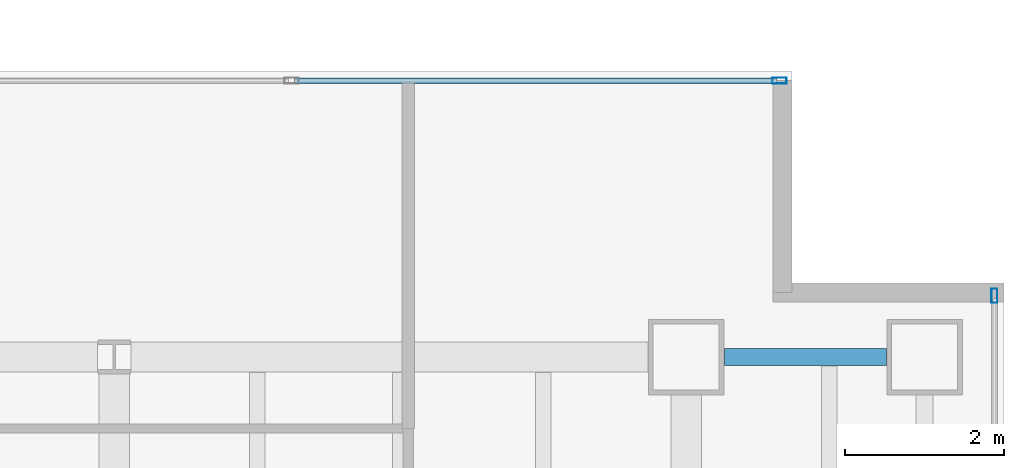
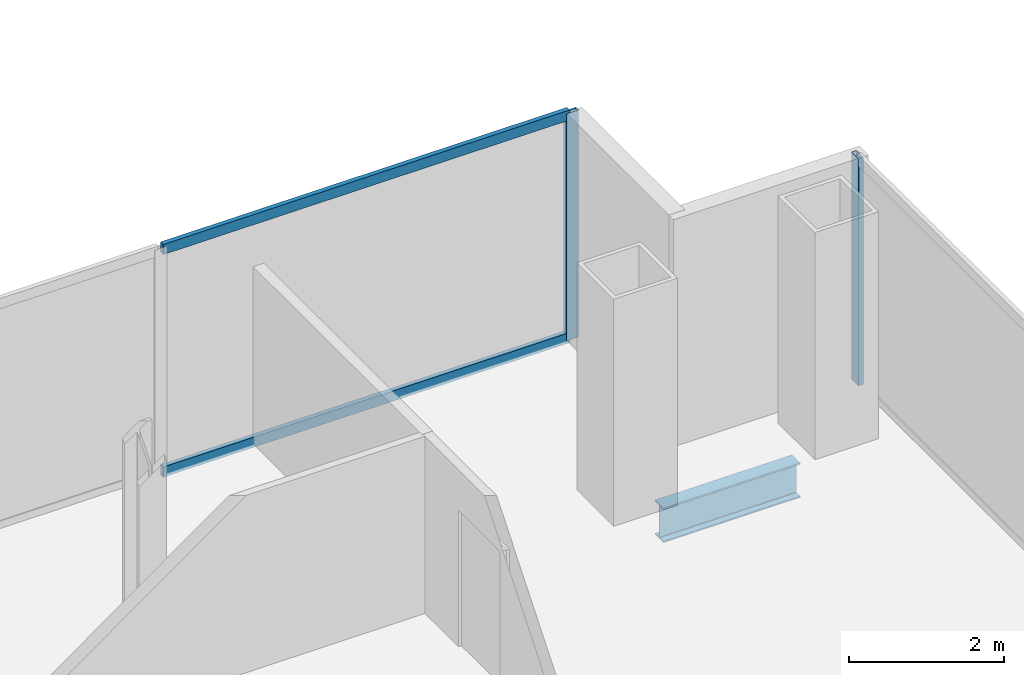
# One storey, part 15 of 23: 4 members, 1 beam, 2 elements without a shape of their own.
"""IFC4 building model written with IfcOpenShell, lengths in metres."""

from ifc_helpers import new_model, si_unit, direction, frame, origin, origin_2d, place, context, subcontext, project, spatial, hollow_rectangle, i_section, extrude, material, material_profile, profile_set, type_object, element, aggregate, save


model = new_model("IFC4")

# Units and contexts
model_context = context("Model", 3, precision=1e-05, world=origin(), true_north=direction((0.0, 1.0)))
body_context = subcontext(model_context, "Body", "Model", "MODEL_VIEW")
ifc_project = project(units=[si_unit("LENGTHUNIT", "METRE"), si_unit("AREAUNIT", "SQUARE_METRE"), si_unit("VOLUMEUNIT", "CUBIC_METRE"), si_unit("PLANEANGLEUNIT", "RADIAN"), si_unit("MASSUNIT", "GRAM", prefix="KILO")], contexts=[model_context])

# Site, building, storey
site_placement = place(None, origin())
site = spatial("IfcSite", under=ifc_project, at=site_placement, CompositionType="ELEMENT")
building_placement = place(site_placement, origin())
building = spatial("IfcBuilding", under=site, at=building_placement, Name="Cobrela Telecom Tower", CompositionType="ELEMENT")
storey_placement = place(building_placement, frame((0.0, 0.0, 102.199951171875)))
storey = spatial("IfcBuildingStorey", under=building, at=storey_placement, Name="L25", CompositionType="ELEMENT", Elevation=102.199951171875)

# Beam
ifc_material_1 = material(Name="Steel ASTM A992 Grade 50", Category="steel")
ifc_material_profile_1 = material_profile(ifc_material_1, i_section(OverallWidth=0.212890625, OverallDepth=0.549072265625, WebThickness=0.0146484375, FlangeThickness=0.023681640625, FilletRadius=0.013916015625, at=origin_2d()), Name="W21X93")
ifc_profile_set_1 = profile_set([ifc_material_profile_1], Name="Steel ASTM A992 Grade 50")
beam_type = type_object("IfcBeamType", Name="BM-SPAND-03", PredefinedType="SPANDREL", material=ifc_profile_set_1)
beam_placement = place(storey_placement, frame((43.679931640625, 21.60009765625, -0.54443359375), z_axis=(1.0, 0.0, 0.0), x_axis=(0.0, 1.0, 0.0)))
element("IfcBeam", 1, at=beam_placement, inside=storey, type_object=beam_type, Name="L25 Perimeter Spandrel X22", PredefinedType="SPANDREL", context=body_context, shape_type="SweptSolid", body=[
    extrude(i_section(OverallWidth=0.212890625, OverallDepth=0.549072265625, WebThickness=0.0146484375, FlangeThickness=0.023681640625, FilletRadius=0.013916015625, at=origin_2d()), origin(), (0.0, 0.0, 1.0), 2.0400390625),
])

# Curtain wall, member
ifc_material_2 = material(Name="Anodized Bronze Aluminium 6063-T6", Category="aluminium")
curtain_wall_type = type_object("IfcCurtainWallType", Name="CW-SYS-TEL", PredefinedType="USERDEFINED", material=ifc_material_2)
curtain_wall_1_placement = place(storey_placement, origin())
curtain_wall_1 = element("IfcCurtainWall", 2, at=curtain_wall_1_placement, inside=storey, type_object=curtain_wall_type, Name="L25 Unitised Bronze Curtain Wall 11", ObjectType="UNITISED CURTAIN WALL", PredefinedType="USERDEFINED")
ifc_material_profile_2 = material_profile(ifc_material_2, hollow_rectangle(XDim=0.074951171875, YDim=0.179931640625, WallThickness=0.00390625, at=origin_2d()), Name="ALU 75x180x4")
ifc_profile_set_2 = profile_set([ifc_material_profile_2], Name="Anodized Bronze Aluminium 6063-T6")
member_type_1 = type_object("IfcMemberType", Name="CW-SYS-TEL-MUL", PredefinedType="MULLION", material=ifc_profile_set_2)
member_1_placement = place(storey_placement, frame((44.37255859375, 25.080078125, 0.0), z_axis=(0.0, 0.0, 1.0), x_axis=(0.0, 1.0, 0.0)))
member_1 = element("IfcMember", 3, at=member_1_placement, type_object=member_type_1, Name="CW-TEL mullion 4", PredefinedType="MULLION", context=body_context, shape_type="SweptSolid", body=[
    extrude(hollow_rectangle(XDim=0.074951171875, YDim=0.179931640625, WallThickness=0.00390625, at=origin_2d()), origin(), (0.0, 0.0, 1.0), 3.580078125),
])

curtain_wall_2_placement = place(storey_placement, origin())
curtain_wall_2 = element("IfcCurtainWall", 4, at=curtain_wall_2_placement, inside=storey, type_object=curtain_wall_type, Name="L25 Unitised Bronze Curtain Wall 14", ObjectType="UNITISED CURTAIN WALL", PredefinedType="USERDEFINED")
member_2_placement = place(storey_placement, frame((47.080078125, 22.37255859375, 0.0), z_axis=(0.0, 0.0, 1.0), x_axis=(1.0, 0.0, 0.0)))
member_2 = element("IfcMember", 5, at=member_2_placement, type_object=member_type_1, Name="CW-TEL mullion 1", PredefinedType="MULLION", context=body_context, shape_type="SweptSolid", body=[
    extrude(hollow_rectangle(XDim=0.074951171875, YDim=0.179931640625, WallThickness=0.00390625, at=origin_2d()), origin(), (0.0, 0.0, 1.0), 3.580078125),
])
aggregate(curtain_wall_2, [member_2])

# Member
ifc_material_profile_3 = material_profile(ifc_material_2, hollow_rectangle(XDim=0.070068359375, YDim=0.159912109375, WallThickness=0.00390625, at=origin_2d()), Name="ALU 70x160x4")
ifc_profile_set_3 = profile_set([ifc_material_profile_3], Name="Anodized Bronze Aluminium 6063-T6")
member_type_2 = type_object("IfcMemberType", Name="CW-SYS-TEL-TRN", PredefinedType="USERDEFINED", material=ifc_profile_set_3)
member_3_placement = place(storey_placement, frame((38.270751953125, 25.080078125, 0.03515625), z_axis=(1.0, 0.0, 0.0), x_axis=(0.0, 1.0, 0.0)))
member_3 = element("IfcMember", 6, at=member_3_placement, type_object=member_type_2, Name="CW-TEL transom 3.1", ObjectType="TRANSOM", PredefinedType="USERDEFINED", context=body_context, shape_type="SweptSolid", body=[
    extrude(hollow_rectangle(XDim=0.070068359375, YDim=0.159912109375, WallThickness=0.00390625, at=origin_2d()), origin(), (0.0, 0.0, 1.0), 6.064208984375),
])

member_4_placement = place(storey_placement, frame((38.270751953125, 25.080078125, 3.545166015625), z_axis=(1.0, 0.0, 0.0), x_axis=(0.0, 1.0, 0.0)))
member_4 = element("IfcMember", 7, at=member_4_placement, type_object=member_type_2, Name="CW-TEL transom 3.2", ObjectType="TRANSOM", PredefinedType="USERDEFINED", context=body_context, shape_type="SweptSolid", body=[
    extrude(hollow_rectangle(XDim=0.070068359375, YDim=0.159912109375, WallThickness=0.00390625, at=origin_2d()), origin(), (0.0, 0.0, 1.0), 6.064208984375),
])

aggregate(curtain_wall_1, [member_1, member_3, member_4])

save(model, "model.ifc")
